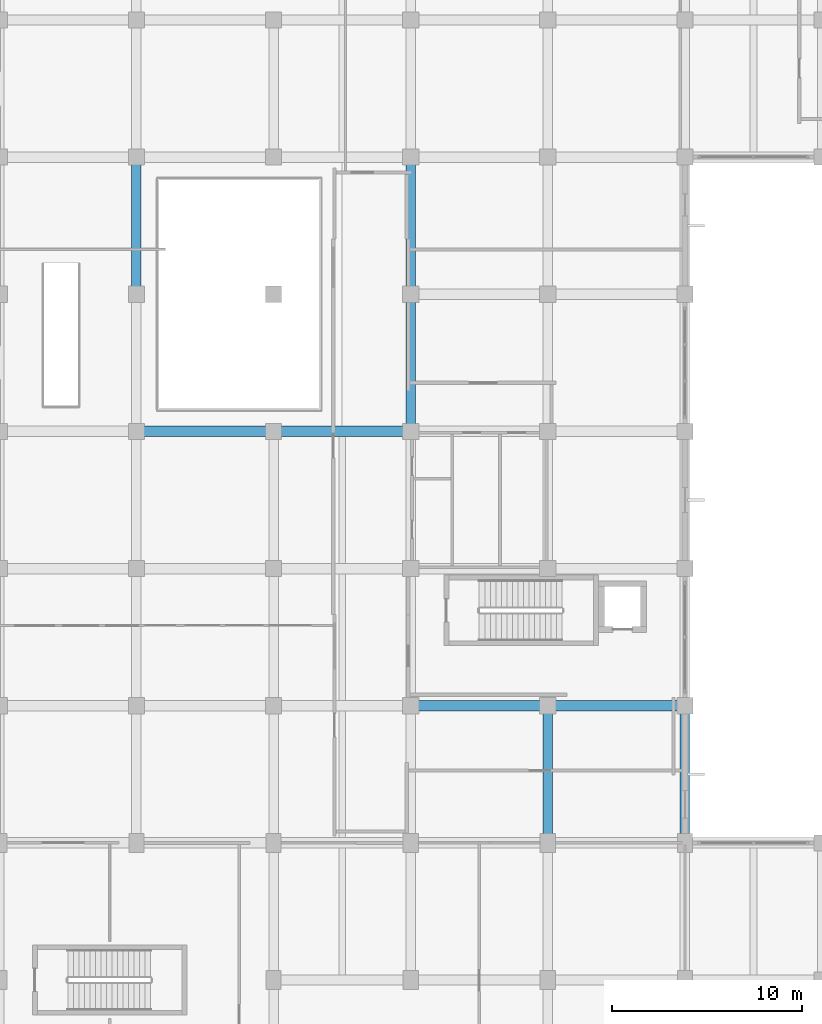
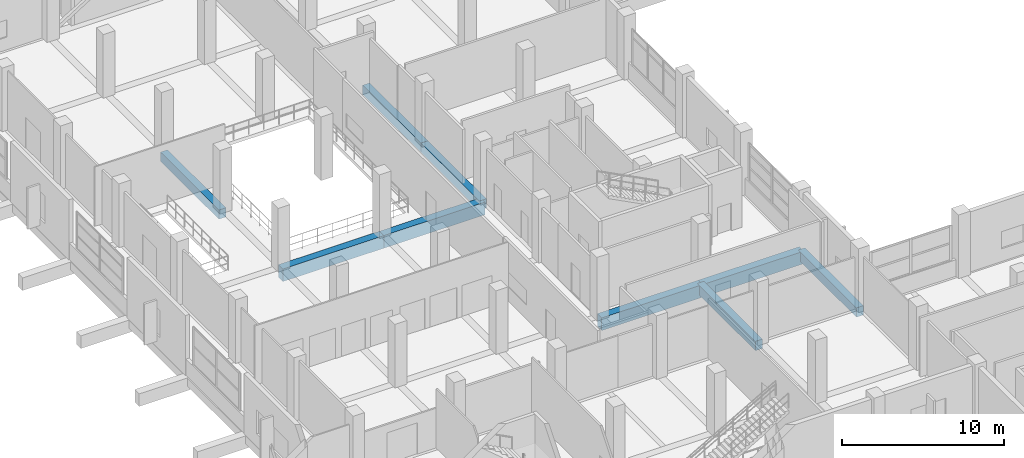
# One storey, part 23 of 181: 9 beams.
"""IFC4 building model written with IfcOpenShell, lengths in metres."""

from ifc_helpers import new_model, si_unit, direction, frame, origin, origin_2d, place, context, subcontext, project, spatial, rectangle, extrude, material, material_profile, profile_set, type_object, element, save


model = new_model("IFC4")

# Units and contexts
model_context = context("Model", 3, precision=1e-05, world=origin(), true_north=direction((0.0, 1.0)))
body_context = subcontext(model_context, "Body", "Model", "MODEL_VIEW")
ifc_project = project(units=[si_unit("LENGTHUNIT", "METRE"), si_unit("AREAUNIT", "SQUARE_METRE"), si_unit("VOLUMEUNIT", "CUBIC_METRE"), si_unit("PLANEANGLEUNIT", "RADIAN"), si_unit("MASSUNIT", "GRAM", prefix="KILO")], contexts=[model_context])

# Site, building, storey
site_placement = place(None, origin())
site = spatial("IfcSite", under=ifc_project, at=site_placement, CompositionType="ELEMENT")
building_placement = place(site_placement, origin())
building = spatial("IfcBuilding", under=site, at=building_placement, Name="Seraya Terrace Polytechnic", CompositionType="ELEMENT")
storey_placement = place(building_placement, frame((0.0, 0.0, 4.800048828125)))
storey = spatial("IfcBuildingStorey", under=building, at=storey_placement, Name="L01", CompositionType="ELEMENT", Elevation=4.800048828125)

# Beams
ifc_material = material(Name="Concrete C40/50", Category="concrete")
ifc_material_profile_1 = material_profile(ifc_material, rectangle(XDim=0.550048828125, YDim=0.949951171875, at=origin_2d()), Name="RC 550x950")
ifc_profile_set_1 = profile_set([ifc_material_profile_1], Name="Concrete C40/50")
beam_type_1 = type_object("IfcBeamType", Name="BM-03", PredefinedType="BEAM", material=ifc_profile_set_1)
for number, where, z_axis, x_axis, name in (
    (1, (28.800048828125, 36.0, -0.47509765625), (1.0, 0.0, 0.0), (0.0, 1.0, 0.0), "Beam BM-03 L01 X (28.8..36.0, 36.0)"),
    (2, (36.0, 36.0, -0.47509765625), (1.0, 0.0, 0.0), (0.0, 1.0, 0.0), "Beam BM-03 L01 X (36.0..43.2, 36.0)"),
):
    element("IfcBeam", number, at=place(storey_placement, frame(where, z_axis=z_axis, x_axis=x_axis)), inside=storey, type_object=beam_type_1, Name=name, PredefinedType="BEAM", context=body_context, shape_type="SweptSolid", body=[
        extrude(rectangle(XDim=0.550048828125, YDim=0.949951171875, at=origin_2d()), origin(), (0.0, 0.0, 1.0), 7.199951171875),
    ])
beam_1_placement = place(storey_placement, frame((14.39990234375, 50.39990234375, -0.47509765625), z_axis=(1.0, 0.0, 0.0), x_axis=(0.0, 1.0, 0.0)))
element("IfcBeam", 3, at=beam_1_placement, inside=storey, type_object=beam_type_1, Name="Beam BM-03 L01 X (14.4..21.6, 50.4)", PredefinedType="BEAM", context=body_context, shape_type="SweptSolid", body=[
    extrude(rectangle(XDim=0.550048828125, YDim=0.949951171875, at=origin_2d()), origin(), (0.0, 0.0, 1.0), 7.2001953125),
])
beam_2_placement = place(storey_placement, frame((21.60009765625, 50.39990234375, -0.47509765625), z_axis=(1.0, 0.0, 0.0), x_axis=(0.0, 1.0, 0.0)))
element("IfcBeam", 4, at=beam_2_placement, inside=storey, type_object=beam_type_1, Name="Beam BM-03 L01 X (21.6..28.8, 50.4)", PredefinedType="BEAM", context=body_context, shape_type="SweptSolid", body=[
    extrude(rectangle(XDim=0.550048828125, YDim=0.949951171875, at=origin_2d()), origin(), (0.0, 0.0, 1.0), 7.199951171875),
])
ifc_material_profile_2 = material_profile(ifc_material, rectangle(XDim=0.5, YDim=0.699951171875, at=origin_2d()), Name="RC 500x700")
ifc_profile_set_2 = profile_set([ifc_material_profile_2], Name="Concrete C40/50")
beam_type_2 = type_object("IfcBeamType", Name="BM-07", PredefinedType="BEAM", material=ifc_profile_set_2)
beam_3_placement = place(storey_placement, frame((14.39990234375, 57.60009765625, -0.35009765625), z_axis=(0.0, 1.0, 0.0), x_axis=(-1.0, 0.0, 0.0)))
element("IfcBeam", 5, at=beam_3_placement, inside=storey, type_object=beam_type_2, Name="Beam BM-07 L01 Y (14.4, 57.6..64.8)", PredefinedType="BEAM", context=body_context, shape_type="SweptSolid", body=[
    extrude(rectangle(XDim=0.5, YDim=0.699951171875, at=origin_2d()), origin(), (0.0, 0.0, 1.0), 7.199951171875),
])
beam_4_placement = place(storey_placement, frame((28.800048828125, 50.39990234375, -0.35009765625), z_axis=(0.0, 1.0, 0.0), x_axis=(-1.0, 0.0, 0.0)))
element("IfcBeam", 6, at=beam_4_placement, inside=storey, type_object=beam_type_2, Name="Beam BM-07 L01 Y (28.8, 50.4..57.6)", PredefinedType="BEAM", context=body_context, shape_type="SweptSolid", body=[
    extrude(rectangle(XDim=0.5, YDim=0.699951171875, at=origin_2d()), origin(), (0.0, 0.0, 1.0), 7.2001953125),
])
for number, where, z_axis, x_axis, name in (
    (7, (28.800048828125, 57.60009765625, -0.35009765625), (0.0, 1.0, 0.0), (-1.0, 0.0, 0.0), "Beam BM-07 L01 Y (28.8, 57.6..64.8)"),
    (8, (36.0, 28.800048828125, -0.35009765625), (0.0, 1.0, 0.0), (-1.0, 0.0, 0.0), "Beam BM-07 L01 Y (36.0, 28.8..36.0)"),
    (9, (43.199951171875, 28.800048828125, -0.35009765625), (0.0, 1.0, 0.0), (-1.0, 0.0, 0.0), "Beam BM-07 L01 Y (43.2, 28.8..36.0)"),
):
    element("IfcBeam", number, at=place(storey_placement, frame(where, z_axis=z_axis, x_axis=x_axis)), inside=storey, type_object=beam_type_2, Name=name, PredefinedType="BEAM", context=body_context, shape_type="SweptSolid", body=[
        extrude(rectangle(XDim=0.5, YDim=0.699951171875, at=origin_2d()), origin(), (0.0, 0.0, 1.0), 7.199951171875),
    ])

save(model, "model.ifc")
